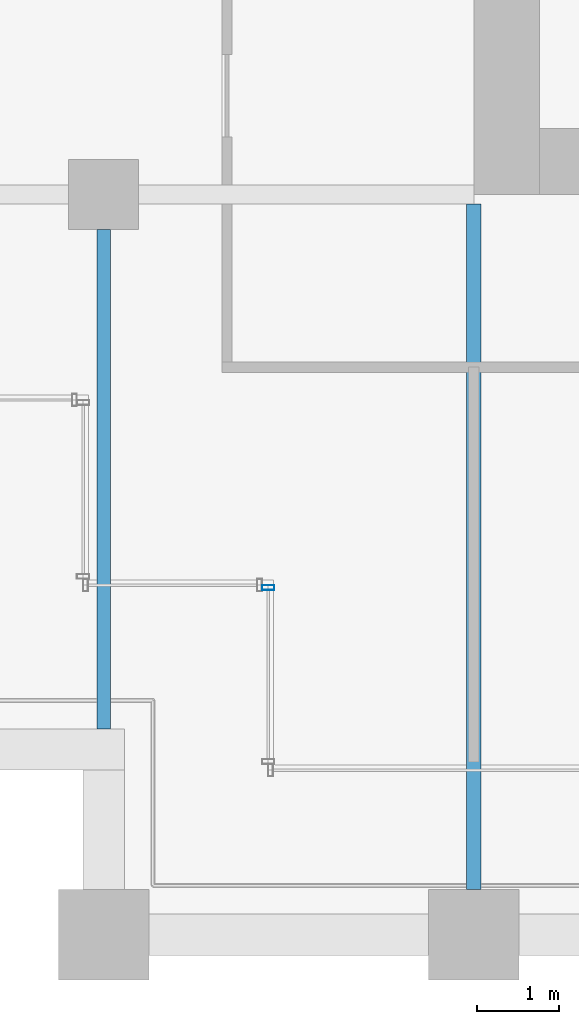
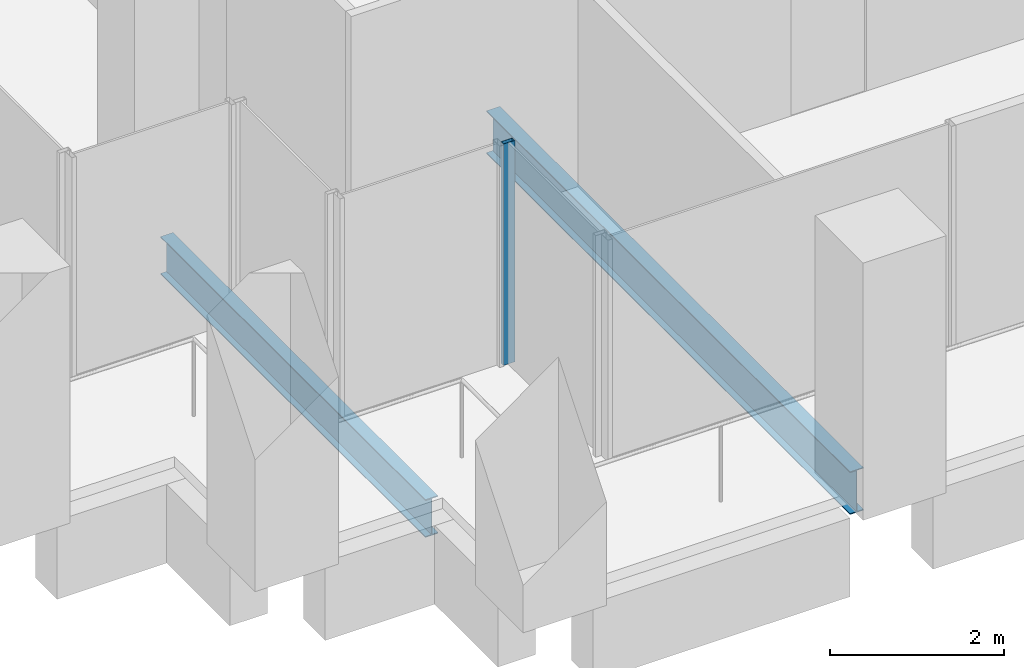
# One storey, part 35 of 56: 2 beams, 1 member, 1 element without a shape of its own.
"""IFC4 building model written with IfcOpenShell, lengths in metres."""

from ifc_helpers import new_model, si_unit, direction, frame, origin, origin_2d, place, context, subcontext, project, spatial, hollow_rectangle, i_section, extrude, material, material_profile, profile_set, type_object, element, aggregate, save


model = new_model("IFC4")

# Units and contexts
model_context = context("Model", 3, precision=1e-05, world=origin(), true_north=direction((0.0, 1.0)))
body_context = subcontext(model_context, "Body", "Model", "MODEL_VIEW")
ifc_project = project(units=[si_unit("LENGTHUNIT", "METRE"), si_unit("AREAUNIT", "SQUARE_METRE"), si_unit("VOLUMEUNIT", "CUBIC_METRE"), si_unit("PLANEANGLEUNIT", "RADIAN"), si_unit("MASSUNIT", "GRAM", prefix="KILO")], contexts=[model_context])

# Site, building, storey
site_placement = place(None, origin())
site = spatial("IfcSite", under=ifc_project, at=site_placement, CompositionType="ELEMENT")
building_placement = place(site_placement, origin())
building = spatial("IfcBuilding", under=site, at=building_placement, Name="Altepetl Exchange Towers", CompositionType="ELEMENT")
storey_placement = place(building_placement, frame((0.0, 0.0, 69.0)))
storey = spatial("IfcBuildingStorey", under=building, at=storey_placement, Name="L16", CompositionType="ELEMENT", Elevation=69.0)

# Beams
ifc_material_1 = material(Name="Steel S355", Category="steel")
ifc_material_profile_1 = material_profile(ifc_material_1, i_section(OverallWidth=0.166015625, OverallDepth=0.529052734375, WebThickness=0.009765625, FlangeThickness=0.013671875, at=origin_2d()), Name="W21X50")
ifc_profile_set_1 = profile_set([ifc_material_profile_1], Name="Steel S355")
beam_type_1 = type_object("IfcBeamType", Name="Floor beam W21X50", PredefinedType="BEAM", material=ifc_profile_set_1)
beam_1_placement = place(storey_placement, frame((99.0, 29.5, -0.41455078125), z_axis=(0.0, 1.0, 0.0), x_axis=(-1.0, 0.0, 0.0)))
element("IfcBeam", 1, at=beam_1_placement, inside=storey, type_object=beam_type_1, Name="bm:B:L16:008", PredefinedType="BEAM", context=body_context, shape_type="SweptSolid", body=[
    extrude(i_section(OverallWidth=0.166015625, OverallDepth=0.529052734375, WebThickness=0.009765625, FlangeThickness=0.013671875, at=origin_2d()), origin(), (0.0, 0.0, 1.0), 6.074951171875),
])
ifc_material_profile_2 = material_profile(ifc_material_1, i_section(OverallWidth=0.177978515625, OverallDepth=0.59912109375, WebThickness=0.010009765625, FlangeThickness=0.0126953125, at=origin_2d()), Name="W24X55")
ifc_profile_set_2 = profile_set([ifc_material_profile_2], Name="Steel S355")
beam_type_2 = type_object("IfcBeamType", Name="Floor beam W24X55", PredefinedType="BEAM", material=ifc_profile_set_2)
beam_2_placement = place(storey_placement, frame((103.5, 27.550048828125, -0.449462890625), z_axis=(0.0, 1.0, 0.0), x_axis=(-1.0, 0.0, 0.0)))
element("IfcBeam", 2, at=beam_2_placement, inside=storey, type_object=beam_type_2, Name="bm:B:L16:009", PredefinedType="BEAM", context=body_context, shape_type="SweptSolid", body=[
    extrude(i_section(OverallWidth=0.177978515625, OverallDepth=0.59912109375, WebThickness=0.010009765625, FlangeThickness=0.0126953125, at=origin_2d()), origin(), (0.0, 0.0, 1.0), 8.3359375),
])

# Curtain wall, member
ifc_material_2 = material(Name="Aluminium 6063-T6 glazing", Category="aluminium")
curtain_wall_type = type_object("IfcCurtainWallType", Name="Loggia glazing system", PredefinedType="NOTDEFINED", material=ifc_material_2)
curtain_wall_placement = place(storey_placement, origin())
curtain_wall = element("IfcCurtainWall", 3, at=curtain_wall_placement, inside=storey, type_object=curtain_wall_type, Name="CW1 run", PredefinedType="NOTDEFINED")
ifc_material_3 = material(Name="Aluminium 6063-T6", Category="aluminium")
ifc_material_profile_3 = material_profile(ifc_material_3, hollow_rectangle(XDim=0.06005859375, YDim=0.14990234375, WallThickness=0.0029296875, at=origin_2d()), Name="Mullion 60x150 aluminium")
ifc_profile_set_3 = profile_set([ifc_material_profile_3], Name="Aluminium 6063-T6")
member_type = type_object("IfcMemberType", Name="Mullion 60x150 aluminium", PredefinedType="MULLION", material=ifc_profile_set_3)
member_placement = place(storey_placement, frame((101.0, 31.219970703125, 0.0), z_axis=(0.0, 0.0, 1.0), x_axis=(0.0, -1.0, 0.0)))
member = element("IfcMember", 4, at=member_placement, type_object=member_type, Name="MU1 mullion", PredefinedType="MULLION", context=body_context, shape_type="SweptSolid", body=[
    extrude(hollow_rectangle(XDim=0.06005859375, YDim=0.14990234375, WallThickness=0.0029296875, at=origin_2d()), origin(), (0.0, 0.0, 1.0), 3.10009765625),
])
aggregate(curtain_wall, [member])

save(model, "model.ifc")
